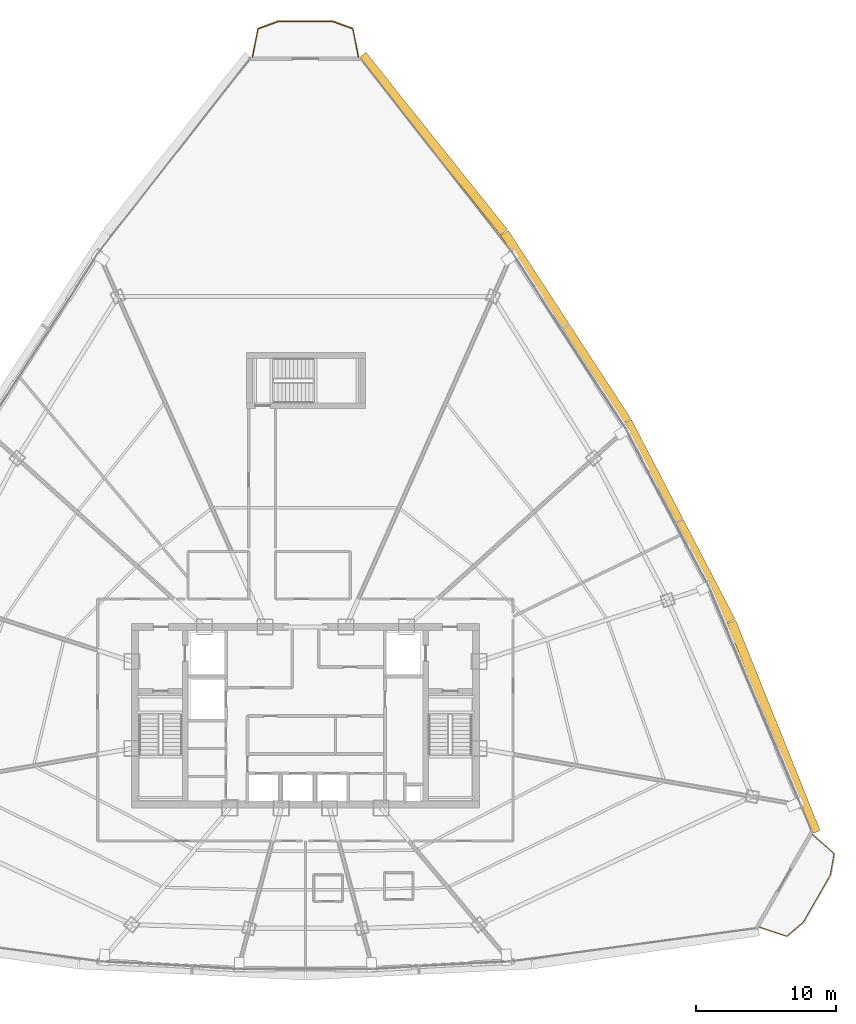
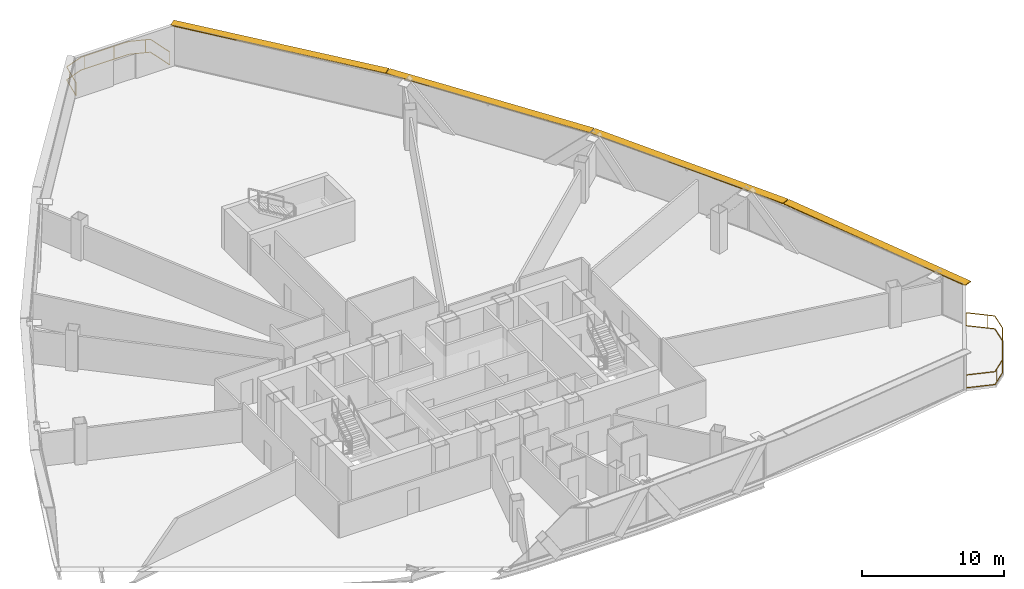
# One storey, part 35 of 35: 4 shading devices, 2 railings.
"""IFC4 building model written with IfcOpenShell, lengths in metres."""

from ifc_helpers import new_model, si_unit, direction, frame, origin, origin_2d, place, context, subcontext, project, spatial, rectangle, extrude, source, transform, mapped, material, layer, layer_set, type_object, element, save


model = new_model("IFC4")

# Units and contexts
model_context = context("Model", 3, precision=1e-05, world=origin(), true_north=direction((0.0, 1.0)))
body_context = subcontext(model_context, "Body", "Model", "MODEL_VIEW")
ifc_project = project(units=[si_unit("LENGTHUNIT", "METRE"), si_unit("AREAUNIT", "SQUARE_METRE"), si_unit("VOLUMEUNIT", "CUBIC_METRE"), si_unit("PLANEANGLEUNIT", "RADIAN"), si_unit("MASSUNIT", "GRAM", prefix="KILO"), si_unit("THERMODYNAMICTEMPERATUREUNIT", "KELVIN"), si_unit("POWERUNIT", "WATT")], contexts=[model_context])

# Site, building, storey
site_placement = place(None, origin())
site = spatial("IfcSite", under=ifc_project, at=site_placement, CompositionType="ELEMENT")
building_placement = place(site_placement, origin())
building = spatial("IfcBuilding", under=site, at=building_placement, Name="Yunzhuo Pagoda Commons", CompositionType="ELEMENT")
storey_placement = place(building_placement, frame((0.0, 0.0, 237.070068359375)))
storey = spatial("IfcBuildingStorey", under=building, at=storey_placement, Name="L59", CompositionType="ELEMENT", Elevation=237.070068359375)

# Railings
ifc_material = material(Name="Anodized aluminium 6063-T6", Category="aluminium")
railing_type = type_object("IfcRailingType", Name="RL-BAL1 Exterior Terrace & Balcony Balustrade 1150", PredefinedType="BALUSTRADE", material=ifc_material)
railing_1_placement = place(storey_placement, frame((80.447265625, 18.742431640625, 0.0)))
element("IfcRailing", 1, at=railing_1_placement, inside=storey, type_object=railing_type, Name="L59 corner balcony balustrade V2", PredefinedType="BALUSTRADE", context=body_context, shape_type="SweptSolid", body=[
    extrude(rectangle(XDim=0.048095703125, YDim=0.048095703125, at=origin_2d()), frame((0.0, 0.0, 1.1259765625), z_axis=(0.947419062147, -0.319995501031, 0.0), x_axis=(0.319995501031, 0.947419062147, 0.0)), (0.0, 0.0, 1.0), 2.05908203125),
    extrude(rectangle(XDim=0.048095703125, YDim=0.048095703125, at=origin_2d()), frame((0.0, 0.0, 0.02392578125), z_axis=(0.947419062147, -0.319995501031, 0.0), x_axis=(0.319995501031, 0.947419062147, 0.0)), (0.0, 0.0, 1.0), 2.05908203125),
    extrude(rectangle(XDim=0.048095703125, YDim=0.048095703125, at=origin_2d()), frame((1.950927734375, -0.658935546875, 1.1259765625), z_axis=(0.763546898029, 0.645752378633, 0.0), x_axis=(-0.645752378633, 0.763546898029, 0.0)), (0.0, 0.0, 1.0), 1.556640625),
    extrude(rectangle(XDim=0.048095703125, YDim=0.048095703125, at=origin_2d()), frame((1.950927734375, -0.658935546875, 0.02392578125), z_axis=(0.763546898029, 0.645752378633, 0.0), x_axis=(-0.645752378633, 0.763546898029, 0.0)), (0.0, 0.0, 1.0), 1.556640625),
    extrude(rectangle(XDim=0.048095703125, YDim=0.048095703125, at=origin_2d()), frame((3.139404296875, 0.34619140625, 1.1259765625), z_axis=(0.497903387026, 0.867232504688, 0.0), x_axis=(-0.867232504688, 0.497903387026, 0.0)), (0.0, 0.0, 1.0), 3.886962890625),
    extrude(rectangle(XDim=0.048095703125, YDim=0.048095703125, at=origin_2d()), frame((3.139404296875, 0.34619140625, 0.02392578125), z_axis=(0.497903387026, 0.867232504688, 0.0), x_axis=(-0.867232504688, 0.497903387026, 0.0)), (0.0, 0.0, 1.0), 3.886962890625),
    extrude(rectangle(XDim=0.048095703125, YDim=0.048095703125, at=origin_2d()), frame((5.07470703125, 3.717041015625, 1.1259765625), z_axis=(0.172863553259, 0.984945781226, 0.0), x_axis=(-0.984945781226, 0.172863553259, 0.0)), (0.0, 0.0, 1.0), 1.556396484375),
    extrude(rectangle(XDim=0.048095703125, YDim=0.048095703125, at=origin_2d()), frame((5.07470703125, 3.717041015625, 0.02392578125), z_axis=(0.172863553259, 0.984945781226, 0.0), x_axis=(-0.984945781226, 0.172863553259, 0.0)), (0.0, 0.0, 1.0), 1.556396484375),
    extrude(rectangle(XDim=0.048095703125, YDim=0.048095703125, at=origin_2d()), frame((5.34375, 5.25, 1.1259765625), z_axis=(-0.753984993137, 0.656891642605, 0.0), x_axis=(-0.656891642605, -0.753984993137, 0.0)), (0.0, 0.0, 1.0), 2.059326171875),
    extrude(rectangle(XDim=0.048095703125, YDim=0.048095703125, at=origin_2d()), frame((5.34375, 5.25, 0.02392578125), z_axis=(-0.753984993137, 0.656891642605, 0.0), x_axis=(-0.656891642605, -0.753984993137, 0.0)), (0.0, 0.0, 1.0), 2.059326171875),
    extrude(rectangle(XDim=0.0419921875, YDim=0.0419921875, at=origin_2d()), origin(), (0.0, 0.0, 1.0), 1.101806640625),
    extrude(rectangle(XDim=0.0419921875, YDim=0.0419921875, at=origin_2d()), frame((2.211181640625, -0.43896484375, 0.0)), (0.0, 0.0, 1.0), 1.101806640625),
    extrude(rectangle(XDim=0.0419921875, YDim=0.0419921875, at=origin_2d()), frame((3.72900390625, 1.373291015625, 0.0)), (0.0, 0.0, 1.0), 1.101806640625),
    extrude(rectangle(XDim=0.0419921875, YDim=0.0419921875, at=origin_2d()), frame((4.924072265625, 3.45458984375, 0.0)), (0.0, 0.0, 1.0), 1.101806640625),
    extrude(rectangle(XDim=0.0419921875, YDim=0.0419921875, at=origin_2d()), frame((4.935791015625, 5.60546875, 0.0)), (0.0, 0.0, 1.0), 1.101806640625),
    extrude(rectangle(XDim=0.0419921875, YDim=0.0419921875, at=origin_2d()), frame((3.791015625, 6.602783203125, 0.0)), (0.0, 0.0, 1.0), 1.101806640625),
])
railing_2_placement = place(storey_placement, frame((51.790771484375, 80.931884765625, 0.0)))
element("IfcRailing", 2, at=railing_2_placement, inside=storey, type_object=railing_type, Name="L59 corner balcony balustrade V3", PredefinedType="BALUSTRADE", context=body_context, shape_type="SweptSolid", body=[
    extrude(rectangle(XDim=0.048095703125, YDim=0.048095703125, at=origin_2d()), frame((0.0, 0.0, 1.1259765625), z_axis=(-0.194200568098, 0.980961843983, 0.0), x_axis=(-0.980961843983, -0.194200568098, 0.0)), (0.0, 0.0, 1.0), 2.059326171875),
    extrude(rectangle(XDim=0.048095703125, YDim=0.048095703125, at=origin_2d()), frame((0.0, 0.0, 0.02392578125), z_axis=(-0.194200568098, 0.980961843983, 0.0), x_axis=(-0.980961843983, -0.194200568098, 0.0)), (0.0, 0.0, 1.0), 2.059326171875),
    extrude(rectangle(XDim=0.048095703125, YDim=0.048095703125, at=origin_2d()), frame((-0.39990234375, 2.02001953125, 1.1259765625), z_axis=(-0.939641477641, 0.342160625287, 0.0), x_axis=(-0.342160625287, -0.939641477641, 0.0)), (0.0, 0.0, 1.0), 1.549072265625),
    extrude(rectangle(XDim=0.048095703125, YDim=0.048095703125, at=origin_2d()), frame((-0.39990234375, 2.02001953125, 0.02392578125), z_axis=(-0.939641477641, 0.342160625287, 0.0), x_axis=(-0.342160625287, -0.939641477641, 0.0)), (0.0, 0.0, 1.0), 1.549072265625),
    extrude(rectangle(XDim=0.048095703125, YDim=0.048095703125, at=origin_2d()), frame((-1.85546875, 2.550048828125, 1.1259765625), z_axis=(-1.0, 0.0, 0.0), x_axis=(0.0, -1.0, 0.0)), (0.0, 0.0, 1.0), 3.87060546875),
    extrude(rectangle(XDim=0.048095703125, YDim=0.048095703125, at=origin_2d()), frame((-1.85546875, 2.550048828125, 0.02392578125), z_axis=(-1.0, 0.0, 0.0), x_axis=(0.0, -1.0, 0.0)), (0.0, 0.0, 1.0), 3.87060546875),
    extrude(rectangle(XDim=0.048095703125, YDim=0.048095703125, at=origin_2d()), frame((-5.72607421875, 2.550048828125, 1.1259765625), z_axis=(-0.939641477641, -0.342160625287, 0.0), x_axis=(0.342160625287, -0.939641477641, 0.0)), (0.0, 0.0, 1.0), 1.549072265625),
    extrude(rectangle(XDim=0.048095703125, YDim=0.048095703125, at=origin_2d()), frame((-5.72607421875, 2.550048828125, 0.02392578125), z_axis=(-0.939641477641, -0.342160625287, 0.0), x_axis=(0.342160625287, -0.939641477641, 0.0)), (0.0, 0.0, 1.0), 1.549072265625),
    extrude(rectangle(XDim=0.048095703125, YDim=0.048095703125, at=origin_2d()), frame((-7.181640625, 2.02001953125, 1.1259765625), z_axis=(-0.194200568098, -0.980961843983, 0.0), x_axis=(0.980961843983, -0.194200568098, 0.0)), (0.0, 0.0, 1.0), 2.059326171875),
    extrude(rectangle(XDim=0.048095703125, YDim=0.048095703125, at=origin_2d()), frame((-7.181640625, 2.02001953125, 0.02392578125), z_axis=(-0.194200568098, -0.980961843983, 0.0), x_axis=(0.980961843983, -0.194200568098, 0.0)), (0.0, 0.0, 1.0), 2.059326171875),
    extrude(rectangle(XDim=0.0419921875, YDim=0.0419921875, at=origin_2d()), origin(), (0.0, 0.0, 1.0), 1.101806640625),
    extrude(rectangle(XDim=0.0419921875, YDim=0.0419921875, at=origin_2d()), frame((-0.72021484375, 2.13671875, 0.0)), (0.0, 0.0, 1.0), 1.101806640625),
    extrude(rectangle(XDim=0.0419921875, YDim=0.0419921875, at=origin_2d()), frame((-3.047119140625, 2.550048828125, 0.0)), (0.0, 0.0, 1.0), 1.101806640625),
    extrude(rectangle(XDim=0.0419921875, YDim=0.0419921875, at=origin_2d()), frame((-5.447265625, 2.550048828125, 0.0)), (0.0, 0.0, 1.0), 1.101806640625),
    extrude(rectangle(XDim=0.0419921875, YDim=0.0419921875, at=origin_2d()), frame((-7.292724609375, 1.458984375, 0.0)), (0.0, 0.0, 1.0), 1.101806640625),
    extrude(rectangle(XDim=0.0419921875, YDim=0.0419921875, at=origin_2d()), frame((-7.58154296875, 0.0, 0.0)), (0.0, 0.0, 1.0), 1.101806640625),
])

# Shading devices
ifc_layer = layer(ifc_material, 0.080078125)
ifc_layer_set = layer_set([ifc_layer], Name="Anodized aluminium 6063-T6")
shading_device_type = type_object("IfcShadingDeviceType", Name="SH-SUN1 Pagoda Horizontal Sunshade Eave 650", PredefinedType="USERDEFINED", material=ifc_layer_set)
shared_shape_1 = source(origin(), body_context, "Body", "SweptSolid", [
    extrude(rectangle(XDim=16.2041015625, YDim=0.64990234375, at=origin_2d()), origin(), (0.0, 0.0, 1.0), 0.080078125),
])
for number, where, z_axis, x_axis, name in (
    (3, (81.471435546875, 33.0400390625, 3.389892578125), (0.0, 0.0, 1.0), (-0.372987782576, 0.927836253899, 0.0), "L59 horizontal pagoda sunshade eave F2.1"),
    (4, (57.130615234375, 74.73828125, 3.389892578125), (0.0, 0.0, 1.0), (-0.624520471688, 0.781008438138, 0.0), "L59 horizontal pagoda sunshade eave F2.4"),
):
    element("IfcShadingDevice", number, at=place(storey_placement, frame(where, z_axis=z_axis, x_axis=x_axis)), inside=storey, type_object=shading_device_type, Name=name, ObjectType="SUNSHADE", PredefinedType="USERDEFINED", context=body_context, shape_type="MappedRepresentation", body=[
        mapped(shared_shape_1, transform((0.0, 0.0, 0.0), scale=1.0)),
    ])
shared_shape_2 = source(origin(), body_context, "Body", "SweptSolid", [
    extrude(rectangle(XDim=16.05029296875, YDim=0.64990234375, at=origin_2d()), origin(), (0.0, 0.0, 1.0), 0.080078125),
])
for number, where, z_axis, x_axis, name in (
    (5, (74.7216796875, 47.735595703125, 3.389892578125), (0.0, 0.0, 1.0), (-0.461206683033, 0.88729273384, 0.0), "L59 horizontal pagoda sunshade eave F2.2"),
    (6, (66.608154296875, 61.63525390625, 3.389892578125), (0.0, 0.0, 1.0), (-0.545838756973, 0.837890238269, 0.0), "L59 horizontal pagoda sunshade eave F2.3"),
):
    element("IfcShadingDevice", number, at=place(storey_placement, frame(where, z_axis=z_axis, x_axis=x_axis)), inside=storey, type_object=shading_device_type, Name=name, ObjectType="SUNSHADE", PredefinedType="USERDEFINED", context=body_context, shape_type="MappedRepresentation", body=[
        mapped(shared_shape_2, transform((0.0, 0.0, 0.0), scale=1.0)),
    ])

save(model, "model.ifc")
